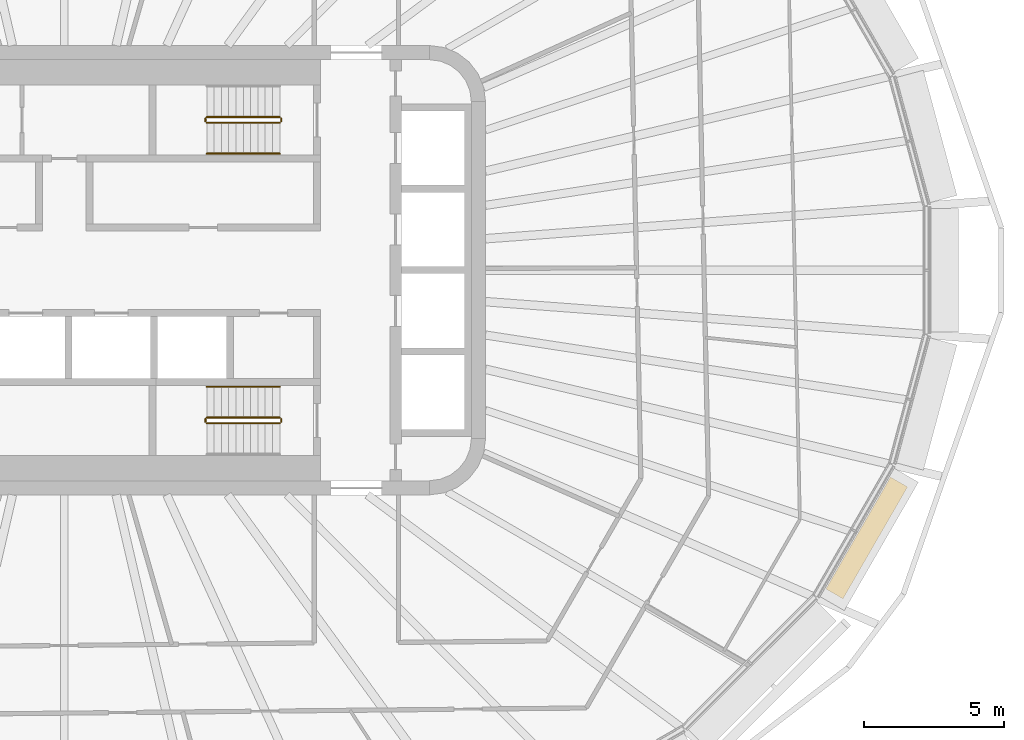
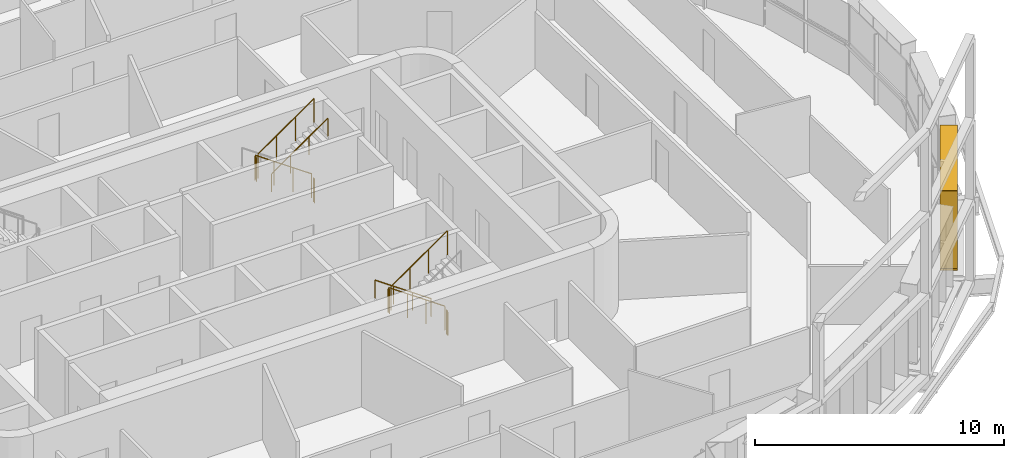
# One storey, part 21 of 23: 10 railings, 1 shading device.
"""IFC4 building model written with IfcOpenShell, lengths in metres."""

from ifc_helpers import new_model, si_unit, direction, frame, origin, origin_2d, place, context, subcontext, project, spatial, rectangle, circle, extrude, material, type_object, element, save


model = new_model("IFC4")

# Units and contexts
model_context = context("Model", 3, precision=1e-05, world=origin(), true_north=direction((0.0, 1.0)))
body_context = subcontext(model_context, "Body", "Model", "MODEL_VIEW")
ifc_project = project(units=[si_unit("LENGTHUNIT", "METRE"), si_unit("AREAUNIT", "SQUARE_METRE"), si_unit("VOLUMEUNIT", "CUBIC_METRE"), si_unit("PLANEANGLEUNIT", "RADIAN"), si_unit("MASSUNIT", "GRAM", prefix="KILO")], contexts=[model_context])

# Site, building, storey
site_placement = place(None, origin())
site = spatial("IfcSite", under=ifc_project, at=site_placement, CompositionType="ELEMENT")
building_placement = place(site_placement, origin())
building = spatial("IfcBuilding", under=site, at=building_placement, Name="Sahrelin Media Tower", CompositionType="ELEMENT")
storey_placement = place(building_placement, frame((0.0, 0.0, 185.60009765625)))
storey = spatial("IfcBuildingStorey", under=building, at=storey_placement, Name="L39", CompositionType="ELEMENT", Elevation=185.60009765625)

# Shading device
ifc_material_1 = material(Name="Champagne anodised aluminium 6063-T6", Category="aluminium")
shading_device_type = type_object("IfcShadingDeviceType", Name="Fin cassette", PredefinedType="USERDEFINED", material=ifc_material_1)
shading_device_placement = place(storey_placement, frame((28.211181640625, -9.324951171875, 0.0), z_axis=(0.0, 0.0, 1.0), x_axis=(-0.500011000363, -0.866019052629, 0.0)))
element("IfcShadingDevice", 1, at=shading_device_placement, inside=storey, type_object=shading_device_type, Name="L39:FIN:L39-22", ObjectType="FIN", PredefinedType="USERDEFINED", context=body_context, shape_type="SweptSolid", body=[
    extrude(rectangle(XDim=4.60009765625, YDim=0.699951171875, at=origin_2d()), frame((0.0, 0.419921875, 0.0)), (0.0, 0.0, 1.0), 0.02001953125),
    extrude(rectangle(XDim=4.60009765625, YDim=0.699951171875, at=origin_2d()), frame((0.0, 0.419921875, 3.89990234375)), (0.0, 0.0, 1.0), 0.02001953125),
    extrude(rectangle(XDim=0.02001953125, YDim=0.699951171875, at=origin_2d()), frame((-2.199951171875, 0.419921875, 0.010009765625), z_axis=(0.0, 0.0, 1.0), x_axis=(1.0, 0.0, 0.0)), (0.0, 0.0, 1.0), 3.89990234375),
    extrude(rectangle(XDim=0.02001953125, YDim=0.699951171875, at=origin_2d()), frame((-1.10009765625, 0.419921875, 0.010009765625), z_axis=(0.0, 0.0, 1.0), x_axis=(1.0, 0.0, 0.0)), (0.0, 0.0, 1.0), 3.89990234375),
    extrude(rectangle(XDim=0.02001953125, YDim=0.699951171875, at=origin_2d()), frame((0.0, 0.419921875, 0.010009765625), z_axis=(0.0, 0.0, 1.0), x_axis=(1.0, 0.0, 0.0)), (0.0, 0.0, 1.0), 3.89990234375),
    extrude(rectangle(XDim=0.02001953125, YDim=0.699951171875, at=origin_2d()), frame((1.10009765625, 0.419921875, 0.010009765625), z_axis=(0.0, 0.0, 1.0), x_axis=(1.0, 0.0, 0.0)), (0.0, 0.0, 1.0), 3.89990234375),
    extrude(rectangle(XDim=0.02001953125, YDim=0.699951171875, at=origin_2d()), frame((2.199951171875, 0.419921875, 0.010009765625), z_axis=(0.0, 0.0, 1.0), x_axis=(1.0, 0.0, 0.0)), (0.0, 0.0, 1.0), 3.89990234375),
])

# Railings
ifc_material_2 = material(Name="Steel S355", Category="steel")
railing_type_1 = type_object("IfcRailingType", Name="Stair guard 1200", PredefinedType="GUARDRAIL", material=ifc_material_2)
railing_1_placement = place(storey_placement, frame((7.675048828125, 5.449951171875, 0.181640625)))
element("IfcRailing", 2, at=railing_1_placement, inside=storey, type_object=railing_type_1, Name="L39 ST3 stair guard 1", PredefinedType="GUARDRAIL", context=body_context, shape_type="SweptSolid", body=[
    extrude(circle(Radius=0.02392578125, at=origin_2d()), frame((0.0, 0.0, 1.17578125), z_axis=(-0.819484887739, 0.0, 0.573100792852), x_axis=(0.0, -1.0, 0.0)), (0.0, 0.0, 1.0), 3.1728515625),
    extrude(circle(Radius=0.02099609375, at=origin_2d()), origin(), (0.0, 0.0, 1.0), 1.15185546875),
    extrude(circle(Radius=0.02099609375, at=origin_2d()), frame((-0.86669921875, 0.0, 0.606201171875)), (0.0, 0.0, 1.0), 1.15185546875),
    extrude(circle(Radius=0.02099609375, at=origin_2d()), frame((-1.7333984375, 0.0, 1.212158203125)), (0.0, 0.0, 1.0), 1.15185546875),
    extrude(circle(Radius=0.02099609375, at=origin_2d()), frame((-2.60009765625, 0.0, 1.818359375)), (0.0, 0.0, 1.0), 1.15185546875),
])
railing_2_placement = place(storey_placement, frame((5.02490234375, 5.39990234375, 2.0)))
element("IfcRailing", 3, at=railing_2_placement, inside=storey, type_object=railing_type_1, Name="L39 ST3 stair guard 2", PredefinedType="GUARDRAIL", context=body_context, shape_type="SweptSolid", body=[
    extrude(circle(Radius=0.02392578125, at=origin_2d()), frame((0.0, 0.0, 1.17578125), z_axis=(0.0, -1.0, 0.0), x_axis=(1.0, 0.0, 0.0)), (0.0, 0.0, 1.0), 0.099853515625),
    extrude(circle(Radius=0.02099609375, at=origin_2d()), origin(), (0.0, 0.0, 1.0), 1.15185546875),
    extrude(circle(Radius=0.02099609375, at=origin_2d()), frame((0.0, -0.099853515625, 0.0)), (0.0, 0.0, 1.0), 1.15185546875),
])
railing_3_placement = place(storey_placement, frame((5.074951171875, 5.25, 2.181640625)))
element("IfcRailing", 4, at=railing_3_placement, inside=storey, type_object=railing_type_1, Name="L39 ST3 stair guard 3", PredefinedType="GUARDRAIL", context=body_context, shape_type="SweptSolid", body=[
    extrude(circle(Radius=0.02392578125, at=origin_2d()), frame((0.0, 0.0, 1.17578125), z_axis=(0.819484887739, 0.0, 0.573100792852), x_axis=(0.0, 1.0, 0.0)), (0.0, 0.0, 1.0), 3.1728515625),
    extrude(circle(Radius=0.02099609375, at=origin_2d()), origin(), (0.0, 0.0, 1.0), 1.15185546875),
    extrude(circle(Radius=0.02099609375, at=origin_2d()), frame((0.86669921875, 0.0, 0.606201171875)), (0.0, 0.0, 1.0), 1.15185546875),
    extrude(circle(Radius=0.02099609375, at=origin_2d()), frame((1.7333984375, 0.0, 1.212158203125)), (0.0, 0.0, 1.0), 1.15185546875),
    extrude(circle(Radius=0.02099609375, at=origin_2d()), frame((2.60009765625, 0.0, 1.818359375)), (0.0, 0.0, 1.0), 1.15185546875),
])
railing_4_placement = place(storey_placement, frame((7.72509765625, 5.39990234375, 0.0)))
element("IfcRailing", 5, at=railing_4_placement, inside=storey, type_object=railing_type_1, Name="L39 ST3 stair guard 4", PredefinedType="GUARDRAIL", context=body_context, shape_type="SweptSolid", body=[
    extrude(circle(Radius=0.02392578125, at=origin_2d()), frame((0.0, 0.0, 1.17578125), z_axis=(0.0, -1.0, 0.0), x_axis=(1.0, 0.0, 0.0)), (0.0, 0.0, 1.0), 0.099853515625),
    extrude(circle(Radius=0.02099609375, at=origin_2d()), origin(), (0.0, 0.0, 1.0), 1.15185546875),
    extrude(circle(Radius=0.02099609375, at=origin_2d()), frame((0.0, -0.099853515625, 0.0)), (0.0, 0.0, 1.0), 1.15185546875),
])
railing_5_placement = place(storey_placement, frame((7.675048828125, -5.25, 0.181640625)))
element("IfcRailing", 6, at=railing_5_placement, inside=storey, type_object=railing_type_1, Name="L39 ST2 stair guard 1", PredefinedType="GUARDRAIL", context=body_context, shape_type="SweptSolid", body=[
    extrude(circle(Radius=0.02392578125, at=origin_2d()), frame((0.0, 0.0, 1.17578125), z_axis=(-0.819484887739, 0.0, 0.573100792852), x_axis=(0.0, -1.0, 0.0)), (0.0, 0.0, 1.0), 3.1728515625),
    extrude(circle(Radius=0.02099609375, at=origin_2d()), origin(), (0.0, 0.0, 1.0), 1.15185546875),
    extrude(circle(Radius=0.02099609375, at=origin_2d()), frame((-0.86669921875, 0.0, 0.606201171875)), (0.0, 0.0, 1.0), 1.15185546875),
    extrude(circle(Radius=0.02099609375, at=origin_2d()), frame((-1.7333984375, 0.0, 1.212158203125)), (0.0, 0.0, 1.0), 1.15185546875),
    extrude(circle(Radius=0.02099609375, at=origin_2d()), frame((-2.60009765625, 0.0, 1.818359375)), (0.0, 0.0, 1.0), 1.15185546875),
])
railing_6_placement = place(storey_placement, frame((5.02490234375, -5.300048828125, 2.0)))
element("IfcRailing", 7, at=railing_6_placement, inside=storey, type_object=railing_type_1, Name="L39 ST2 stair guard 2", PredefinedType="GUARDRAIL", context=body_context, shape_type="SweptSolid", body=[
    extrude(circle(Radius=0.02392578125, at=origin_2d()), frame((0.0, 0.0, 1.17578125), z_axis=(0.0, -1.0, 0.0), x_axis=(1.0, 0.0, 0.0)), (0.0, 0.0, 1.0), 0.099853515625),
    extrude(circle(Radius=0.02099609375, at=origin_2d()), origin(), (0.0, 0.0, 1.0), 1.15185546875),
    extrude(circle(Radius=0.02099609375, at=origin_2d()), frame((0.0, -0.099853515625, 0.0)), (0.0, 0.0, 1.0), 1.15185546875),
])
railing_7_placement = place(storey_placement, frame((5.074951171875, -5.449951171875, 2.181640625)))
element("IfcRailing", 8, at=railing_7_placement, inside=storey, type_object=railing_type_1, Name="L39 ST2 stair guard 3", PredefinedType="GUARDRAIL", context=body_context, shape_type="SweptSolid", body=[
    extrude(circle(Radius=0.02392578125, at=origin_2d()), frame((0.0, 0.0, 1.17578125), z_axis=(0.819484887739, 0.0, 0.573100792852), x_axis=(0.0, 1.0, 0.0)), (0.0, 0.0, 1.0), 3.1728515625),
    extrude(circle(Radius=0.02099609375, at=origin_2d()), origin(), (0.0, 0.0, 1.0), 1.15185546875),
    extrude(circle(Radius=0.02099609375, at=origin_2d()), frame((0.86669921875, 0.0, 0.606201171875)), (0.0, 0.0, 1.0), 1.15185546875),
    extrude(circle(Radius=0.02099609375, at=origin_2d()), frame((1.7333984375, 0.0, 1.212158203125)), (0.0, 0.0, 1.0), 1.15185546875),
    extrude(circle(Radius=0.02099609375, at=origin_2d()), frame((2.60009765625, 0.0, 1.818359375)), (0.0, 0.0, 1.0), 1.15185546875),
])
railing_8_placement = place(storey_placement, frame((7.72509765625, -5.300048828125, 0.0)))
element("IfcRailing", 9, at=railing_8_placement, inside=storey, type_object=railing_type_1, Name="L39 ST2 stair guard 4", PredefinedType="GUARDRAIL", context=body_context, shape_type="SweptSolid", body=[
    extrude(circle(Radius=0.02392578125, at=origin_2d()), frame((0.0, 0.0, 1.17578125), z_axis=(0.0, -1.0, 0.0), x_axis=(1.0, 0.0, 0.0)), (0.0, 0.0, 1.0), 0.099853515625),
    extrude(circle(Radius=0.02099609375, at=origin_2d()), origin(), (0.0, 0.0, 1.0), 1.15185546875),
    extrude(circle(Radius=0.02099609375, at=origin_2d()), frame((0.0, -0.099853515625, 0.0)), (0.0, 0.0, 1.0), 1.15185546875),
])
railing_type_2 = type_object("IfcRailingType", Name="Stair handrail 900", PredefinedType="HANDRAIL", material=ifc_material_2)
railing_9_placement = place(storey_placement, frame((5.074951171875, 4.14990234375, 2.181640625)))
element("IfcRailing", 10, at=railing_9_placement, inside=storey, type_object=railing_type_2, Name="L39 ST3 stair handrail 2", PredefinedType="HANDRAIL", context=body_context, shape_type="SweptSolid", body=[
    extrude(circle(Radius=0.02392578125, at=origin_2d()), frame((0.0, 0.0, 0.8759765625), z_axis=(0.819484887739, 0.0, 0.573100792852), x_axis=(0.0, 1.0, 0.0)), (0.0, 0.0, 1.0), 3.1728515625),
    extrude(circle(Radius=0.02099609375, at=origin_2d()), origin(), (0.0, 0.0, 1.0), 0.851806640625),
    extrude(circle(Radius=0.02099609375, at=origin_2d()), frame((0.86669921875, 0.0, 0.606201171875)), (0.0, 0.0, 1.0), 0.851806640625),
    extrude(circle(Radius=0.02099609375, at=origin_2d()), frame((1.7333984375, 0.0, 1.212158203125)), (0.0, 0.0, 1.0), 0.851806640625),
    extrude(circle(Radius=0.02099609375, at=origin_2d()), frame((2.60009765625, 0.0, 1.818359375)), (0.0, 0.0, 1.0), 0.851806640625),
])
railing_10_placement = place(storey_placement, frame((7.675048828125, -4.14990234375, 0.181640625)))
element("IfcRailing", 11, at=railing_10_placement, inside=storey, type_object=railing_type_2, Name="L39 ST2 stair handrail 1", PredefinedType="HANDRAIL", context=body_context, shape_type="SweptSolid", body=[
    extrude(circle(Radius=0.02392578125, at=origin_2d()), frame((0.0, 0.0, 0.8759765625), z_axis=(-0.819484887739, 0.0, 0.573100792852), x_axis=(0.0, -1.0, 0.0)), (0.0, 0.0, 1.0), 3.1728515625),
    extrude(circle(Radius=0.02099609375, at=origin_2d()), origin(), (0.0, 0.0, 1.0), 0.851806640625),
    extrude(circle(Radius=0.02099609375, at=origin_2d()), frame((-0.86669921875, 0.0, 0.606201171875)), (0.0, 0.0, 1.0), 0.851806640625),
    extrude(circle(Radius=0.02099609375, at=origin_2d()), frame((-1.7333984375, 0.0, 1.212158203125)), (0.0, 0.0, 1.0), 0.851806640625),
    extrude(circle(Radius=0.02099609375, at=origin_2d()), frame((-2.60009765625, 0.0, 1.818359375)), (0.0, 0.0, 1.0), 0.851806640625),
])

save(model, "model.ifc")
